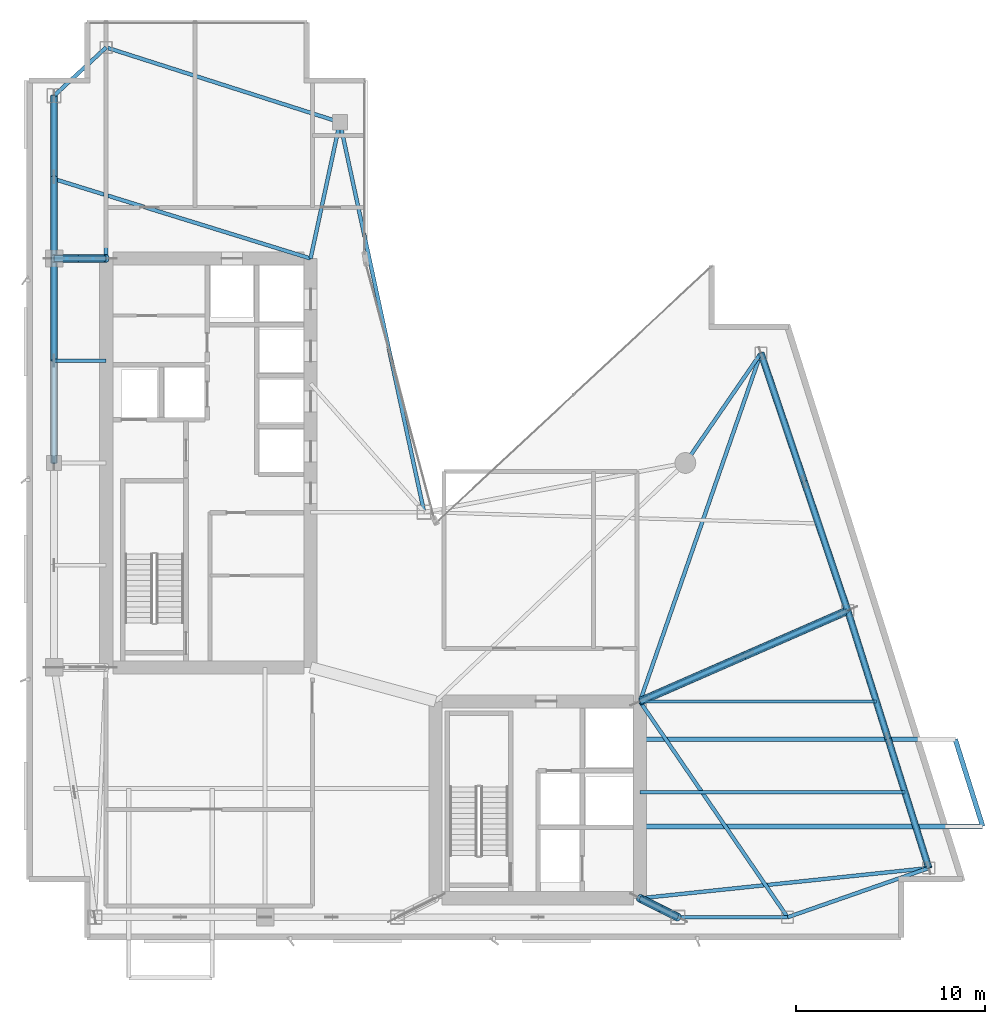
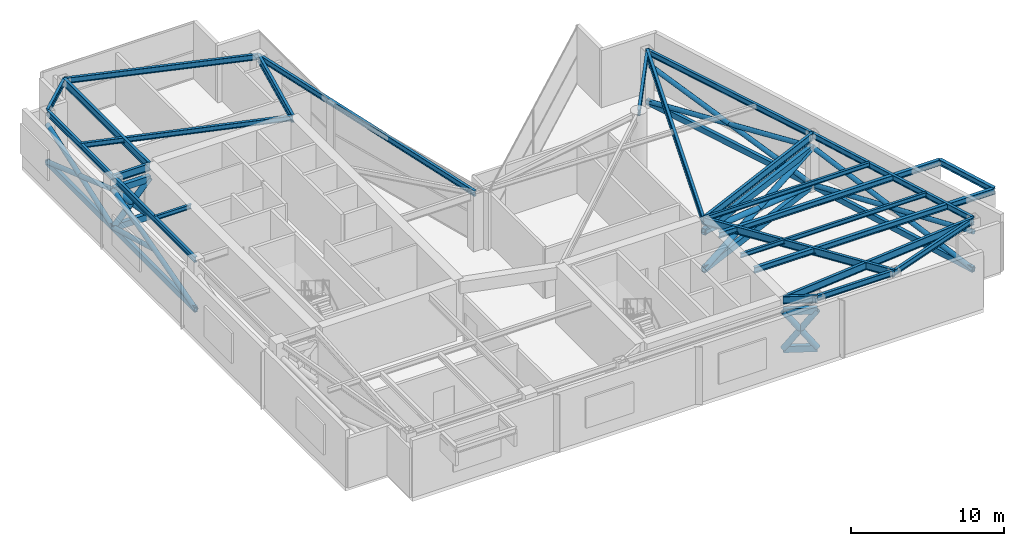
# One storey, part 5 of 16: 30 members, 25 beams.
"""IFC4 building model written with IfcOpenShell, lengths in metres."""

import ifcopenshell
import ifcopenshell.guid

model = None  # the IFC model being written
_history = None  # IfcOwnerHistory: only IFC2X3 demands one
_inside = {}  # id of a spatial element -> (the spatial element, [elements in it])
_under = {}  # id of a project, library or spatial element -> (it, [spatial elements below it])
_declared = {}  # id of a project -> (the project, [libraries it declares])
_typed = {}  # id of a type object -> (the type object, [elements of that type])
_made_of = {}  # id of a material, layer set ... -> (it, [elements and type objects made of it])


def new_model(schema):
    """Start an empty IFC model of exactly this schema.

    Asked for "IFC4X3", IfcOpenShell would pick the latest addendum, in which some entities
    have other attributes; the version numbers below select the first issue.
    IFC2X3 requires an IfcOwnerHistory on every rooted entity: one is made here for all.
    """
    global model, _history
    if schema == "IFC4X3":
        model = ifcopenshell.file(schema_version=(4, 3, 0, 0))
    else:
        model = ifcopenshell.file(schema=schema)
    _inside.clear()
    _under.clear()
    _declared.clear()
    _typed.clear()
    _made_of.clear()
    _history = None
    if model.schema == "IFC2X3":
        org = make("IfcOrganization", Name="unknown")
        user = make(
            "IfcPersonAndOrganization",
            ThePerson=make("IfcPerson", FamilyName="unknown"),
            TheOrganization=org,
        )
        app = make(
            "IfcApplication",
            ApplicationDeveloper=org,
            Version="unknown",
            ApplicationFullName="unknown",
            ApplicationIdentifier="unknown",
        )
        _history = make(
            "IfcOwnerHistory",
            OwningUser=user,
            OwningApplication=app,
            ChangeAction="ADDED",
            CreationDate=0,
        )
    return model


def make(cls, **values):
    """One entity of the class cls with the attributes given. An attribute that is None is left unset."""
    return model.create_entity(
        cls, **{name: value for name, value in values.items() if value is not None}
    )


def rooted(cls, **values):
    """An entity with a GlobalId (a new one), such as an element, a storey or a relation."""
    return make(cls, GlobalId=ifcopenshell.guid.new(), OwnerHistory=_history, **values)


def si_unit(unit_type, name, prefix=None):
    """IfcSIUnit, for example si_unit("LENGTHUNIT", "METRE", prefix="MILLI")."""
    return make("IfcSIUnit", UnitType=unit_type, Prefix=prefix, Name=name)


def assignment(units):
    """IfcUnitAssignment: the units of a project."""
    return None if units is None else make("IfcUnitAssignment", Units=units)


def point(xyz):
    """IfcCartesianPoint."""
    return None if xyz is None else make("IfcCartesianPoint", Coordinates=xyz)


def direction(xyz):
    """IfcDirection."""
    return None if xyz is None else make("IfcDirection", DirectionRatios=xyz)


def frame(location, z_axis=None, x_axis=None):
    """IfcAxis2Placement3D, a coordinate frame: its origin and axes. An axis left out is left unset."""
    return make(
        "IfcAxis2Placement3D",
        Location=point(location),
        Axis=direction(z_axis),
        RefDirection=direction(x_axis),
    )


def frame_2d(location, x_axis=None):
    """IfcAxis2Placement2D, a coordinate frame in the plane: its origin and x axis."""
    return make(
        "IfcAxis2Placement2D", Location=point(location), RefDirection=direction(x_axis)
    )


def origin():
    """The frame at (0, 0, 0) with its axes left unset."""
    return frame((0.0, 0.0, 0.0))


def origin_2d():
    """The frame at (0, 0) in the plane with its x axis left unset."""
    return frame_2d((0.0, 0.0))


def place(relative_to, where):
    """IfcLocalPlacement: puts the frame where relative to a parent placement (None: the world)."""
    return make(
        "IfcLocalPlacement", PlacementRelTo=relative_to, RelativePlacement=where
    )


def context(
    kind, dimensions, precision=None, world=None, true_north=None, identifier=None
):
    """IfcGeometricRepresentationContext, for example the 3D "Model" context."""
    return make(
        "IfcGeometricRepresentationContext",
        ContextIdentifier=identifier,
        ContextType=kind,
        CoordinateSpaceDimension=dimensions,
        Precision=precision,
        WorldCoordinateSystem=world,
        TrueNorth=true_north,
    )


def subcontext(parent, identifier, kind, view, scale=None):
    """IfcGeometricRepresentationSubContext, for example "Body" below "Model"."""
    return make(
        "IfcGeometricRepresentationSubContext",
        ContextIdentifier=identifier,
        ContextType=kind,
        ParentContext=parent,
        TargetScale=scale,
        TargetView=view,
    )


def project(units=None, contexts=None):
    """IfcProject with its units and contexts."""
    return rooted(
        "IfcProject",
        Name="project",
        RepresentationContexts=contexts,
        UnitsInContext=assignment(units),
    )


def spatial(cls, under=None, at=None, **own):
    """A site, building, storey or space (cls), placed at a placement, below another one or the project."""
    s = rooted(cls, ObjectPlacement=at, **own)
    if under is not None:
        _under.setdefault(under.id(), (under, []))[1].append(s)
    return s


def profile(cls, at=None, kind="AREA", **sizes):
    """A parametric profile (cls). Its sizes go by their IFC names, for example OverallWidth=200.0."""
    return make(cls, ProfileType=kind, Position=at, **sizes)


def hollow_rectangle(**sizes):
    """IfcRectangleHollowProfileDef."""
    return profile("IfcRectangleHollowProfileDef", **sizes)


def hollow_circle(**sizes):
    """IfcCircleHollowProfileDef."""
    return profile("IfcCircleHollowProfileDef", **sizes)


def i_section(**sizes):
    """IfcIShapeProfileDef."""
    return profile("IfcIShapeProfileDef", **sizes)


def extrude(swept, where, along, depth):
    """IfcExtrudedAreaSolid: the profile swept, set in the frame where, extruded along a direction by depth."""
    return make(
        "IfcExtrudedAreaSolid",
        SweptArea=swept,
        Position=where,
        ExtrudedDirection=direction(along),
        Depth=depth,
    )


def shape(context_of_items, identifier, shape_type, items):
    """IfcShapeRepresentation: the items that make up one representation, for example the "Body"."""
    return make(
        "IfcShapeRepresentation",
        ContextOfItems=context_of_items,
        RepresentationIdentifier=identifier,
        RepresentationType=shape_type,
        Items=items,
    )


def material(Name=None, Category=None):
    """IfcMaterial."""
    return make("IfcMaterial", Name=Name, Category=Category)


def material_profile(
    of_material, cross_section, Name=None, Category=None, Priority=None
):
    """IfcMaterialProfile: a cross section and its material."""
    return make(
        "IfcMaterialProfile",
        Name=Name,
        Material=of_material,
        Profile=cross_section,
        Priority=Priority,
        Category=Category,
    )


def profile_set(profiles, Name=None, composite=None):
    """IfcMaterialProfileSet."""
    return make(
        "IfcMaterialProfileSet",
        Name=Name,
        MaterialProfiles=profiles,
        CompositeProfile=composite,
    )


def made_of(thing, what):
    """Note that an element or type object is made of a material, layer set ...; save() writes the relation."""
    if what is not None:
        _made_of.setdefault(what.id(), (what, []))[1].append(thing)
    return thing


def type_object(cls, material=None, **own):
    """A type object (cls), such as IfcWallType, which elements share."""
    return made_of(rooted(cls, **own), material)


def element(
    cls,
    number,
    at=None,
    inside=None,
    cuts=None,
    type_object=None,
    material=None,
    context=None,
    identifier="Body",
    shape_type=None,
    held_by="IfcProductDefinitionShape",
    body=None,
    shapes=None,
    **own,
):
    """One element of the class cls, such as IfcWall. Its Tag is "e" and its number.

    at: its placement. inside: the storey or other place that contains it. cuts: it is an
    opening in that element (IfcRelVoidsElement). A single representation is given by context,
    identifier, shape_type and body (its items); several are given by shapes. held_by: the class
    of the entity that holds the representations. save() writes the other relations.
    """
    e = rooted(cls, Tag="e%d" % number, ObjectPlacement=at, **own)
    if body is not None:
        shapes = [shape(context, identifier, shape_type, body)]
    if shapes is not None:
        e.Representation = make(held_by, Representations=shapes)
    if inside is not None:
        _inside.setdefault(inside.id(), (inside, []))[1].append(e)
    if cuts is not None:
        rooted(
            "IfcRelVoidsElement", RelatingBuildingElement=cuts, RelatedOpeningElement=e
        )
    if type_object is not None:
        _typed.setdefault(type_object.id(), (type_object, []))[1].append(e)
    return made_of(e, material)


def aggregate(whole, parts):
    """IfcRelAggregates: a whole, such as a stair, and the parts it consists of."""
    return rooted("IfcRelAggregates", RelatingObject=whole, RelatedObjects=parts)


def save(model, path):
    """Write the relations noted so far, then the file.

    IfcRelAggregates (storeys below a building ...), IfcRelContainedInSpatialStructure (elements
    in a storey), IfcRelDefinesByType, IfcRelAssociatesMaterial and IfcRelDeclares: one each for
    every whole, place, type object, material and project.
    """
    for whole, parts in _under.values():
        aggregate(whole, parts)
    for where, things in _inside.values():
        rooted(
            "IfcRelContainedInSpatialStructure",
            RelatedElements=things,
            RelatingStructure=where,
        )
    for kind, things in _typed.values():
        rooted("IfcRelDefinesByType", RelatedObjects=things, RelatingType=kind)
    for what, things in _made_of.values():
        rooted("IfcRelAssociatesMaterial", RelatedObjects=things, RelatingMaterial=what)
    for by, libraries in _declared.values():
        rooted("IfcRelDeclares", RelatingContext=by, RelatedDefinitions=libraries)
    model.write(path)


model = new_model("IFC4")

# Units and contexts
model_context = context("Model", 3, precision=1e-05, world=origin(), true_north=direction((0.0, 1.0)))
body_context = subcontext(model_context, "Body", "Model", "MODEL_VIEW")
ifc_project = project(units=[si_unit("LENGTHUNIT", "METRE"), si_unit("AREAUNIT", "SQUARE_METRE"), si_unit("VOLUMEUNIT", "CUBIC_METRE"), si_unit("PLANEANGLEUNIT", "RADIAN"), si_unit("MASSUNIT", "GRAM", prefix="KILO")], contexts=[model_context])

# Site, building, storey
site_placement = place(None, origin())
site = spatial("IfcSite", under=ifc_project, at=site_placement, CompositionType="ELEMENT")
building_placement = place(site_placement, origin())
building = spatial("IfcBuilding", under=site, at=building_placement, Name="Calvorn Quay Hotel", CompositionType="ELEMENT")
storey_placement = place(building_placement, frame((0.0, 0.0, 234.5)))
storey = spatial("IfcBuildingStorey", under=building, at=storey_placement, Name="L58", CompositionType="ELEMENT", Elevation=234.5)

# Beams
ifc_material_1 = material(Name="Steel Q355B", Category="steel")
ifc_material_profile_1 = material_profile(ifc_material_1, i_section(OverallWidth=0.25, OverallDepth=0.449951171875, WebThickness=0.011962890625, FlangeThickness=0.01611328125, FilletRadius=0.01611328125, at=origin_2d()), Name="HN450x250x12x16")
ifc_profile_set_1 = profile_set([ifc_material_profile_1], Name="Steel Q355B")
beam_type_1 = type_object("IfcBeamType", Name="BM-CANT-BALC", PredefinedType="BEAM", material=ifc_profile_set_1)
beam_1_placement = place(storey_placement, frame((32.39990234375, 8.39990234375, 4.31494140625), z_axis=(1.0, 0.0, 0.0), x_axis=(0.0, 1.0, 0.0)))
element("IfcBeam", 1, at=beam_1_placement, inside=storey, type_object=beam_type_1, Name="Cantilever Balcony Beam BCB-L59-1A", PredefinedType="BEAM", context=body_context, shape_type="SweptSolid", body=[
    extrude(i_section(OverallWidth=0.25, OverallDepth=0.449951171875, WebThickness=0.011962890625, FlangeThickness=0.01611328125, FilletRadius=0.01611328125, at=origin_2d()), origin(), (0.0, 0.0, 1.0), 18.108154296875),
])
beam_2_placement = place(storey_placement, frame((32.39990234375, 13.0, 4.31494140625), z_axis=(1.0, 0.0, 0.0), x_axis=(0.0, 1.0, 0.0)))
element("IfcBeam", 2, at=beam_2_placement, inside=storey, type_object=beam_type_1, Name="Cantilever Balcony Beam BCB-L59-1B", PredefinedType="BEAM", context=body_context, shape_type="SweptSolid", body=[
    extrude(i_section(OverallWidth=0.25, OverallDepth=0.449951171875, WebThickness=0.011962890625, FlangeThickness=0.01611328125, FilletRadius=0.01611328125, at=origin_2d()), origin(), (0.0, 0.0, 1.0), 16.658203125),
])
beam_3_placement = place(storey_placement, frame((50.508056640625, 8.39990234375, 4.31494140625), z_axis=(-0.300620172346, 0.953743944662, 0.0), x_axis=(-0.953743944662, -0.300620172346, 0.0)))
element("IfcBeam", 3, at=beam_3_placement, inside=storey, type_object=beam_type_1, Name="Beam BCBO-L59-1", PredefinedType="BEAM", context=body_context, shape_type="SweptSolid", body=[
    extrude(i_section(OverallWidth=0.25, OverallDepth=0.449951171875, WebThickness=0.011962890625, FlangeThickness=0.01611328125, FilletRadius=0.01611328125, at=origin_2d()), origin(), (0.0, 0.0, 1.0), 4.8232421875),
])
ifc_material_2 = material(Name="Steel Q355B", Category="steel")
ifc_material_profile_2 = material_profile(ifc_material_2, i_section(OverallWidth=0.199951171875, OverallDepth=0.60009765625, WebThickness=0.010986328125, FlangeThickness=0.01708984375, FilletRadius=0.01806640625, at=origin_2d()), Name="HN600x200x11x17")
ifc_profile_set_2 = profile_set([ifc_material_profile_2], Name="Steel Q355B")
beam_type_2 = type_object("IfcBeamType", Name="BM-GIRD-TYP", PredefinedType="BEAM", material=ifc_profile_set_2)
beam_4_placement = place(storey_placement, frame((1.449951171875, 38.39990234375, 4.239990234375), z_axis=(1.0, 0.0, 0.0), x_axis=(0.0, 1.0, 0.0)))
element("IfcBeam", 4, at=beam_4_placement, inside=storey, type_object=beam_type_2, Name="Beam BG-L58-W3", PredefinedType="BEAM", context=body_context, shape_type="SweptSolid", body=[
    extrude(i_section(OverallWidth=0.199951171875, OverallDepth=0.60009765625, WebThickness=0.010986328125, FlangeThickness=0.01708984375, FilletRadius=0.01806640625, at=origin_2d()), origin(), (0.0, 0.0, 1.0), 2.75),
])
beam_5_placement = place(storey_placement, frame((4.199951171875, 49.550048828125, 4.239990234375), z_axis=(0.0, -1.0, 0.0), x_axis=(1.0, 0.0, 0.0)))
element("IfcBeam", 5, at=beam_5_placement, inside=storey, type_object=beam_type_2, Name="Beam BG-L58-W5", PredefinedType="BEAM", context=body_context, shape_type="SweptSolid", body=[
    extrude(i_section(OverallWidth=0.199951171875, OverallDepth=0.60009765625, WebThickness=0.010986328125, FlangeThickness=0.01708984375, FilletRadius=0.01806640625, at=origin_2d()), origin(), (0.0, 0.0, 1.0), 11.150146484375),
])
beam_6_placement = place(storey_placement, frame((16.550048828125, 45.60009765625, 4.239990234375), z_axis=(-0.210457140491, -0.97760308511, 0.0), x_axis=(0.97760308511, -0.210457140491, 0.0)))
element("IfcBeam", 6, at=beam_6_placement, inside=storey, type_object=beam_type_2, Name="Beam BG-L58-W6", PredefinedType="BEAM", context=body_context, shape_type="SweptSolid", body=[
    extrude(i_section(OverallWidth=0.199951171875, OverallDepth=0.60009765625, WebThickness=0.010986328125, FlangeThickness=0.01708984375, FilletRadius=0.01806640625, at=origin_2d()), origin(), (0.0, 0.0, 1.0), 7.365234375),
])
beam_7_placement = place(storey_placement, frame((34.39990234375, 3.60009765625, 4.239990234375), z_axis=(-0.894427191, 0.4472135955, 0.0), x_axis=(-0.4472135955, -0.894427191, 0.0)))
element("IfcBeam", 7, at=beam_7_placement, inside=storey, type_object=beam_type_2, Name="Beam BG-L58-S3", PredefinedType="BEAM", context=body_context, shape_type="SweptSolid", body=[
    extrude(i_section(OverallWidth=0.199951171875, OverallDepth=0.60009765625, WebThickness=0.010986328125, FlangeThickness=0.01708984375, FilletRadius=0.01806640625, at=origin_2d()), origin(), (0.0, 0.0, 1.0), 2.236083984375),
])
beam_8_placement = place(storey_placement, frame((32.39990234375, 4.60009765625, 4.239990234375), z_axis=(0.99454991229, 0.10426155554, 0.0), x_axis=(-0.10426155554, 0.99454991229, 0.0)))
element("IfcBeam", 8, at=beam_8_placement, inside=storey, type_object=beam_type_2, Name="Beam BG-L58-E1", PredefinedType="BEAM", context=body_context, shape_type="SweptSolid", body=[
    extrude(i_section(OverallWidth=0.199951171875, OverallDepth=0.60009765625, WebThickness=0.010986328125, FlangeThickness=0.01708984375, FilletRadius=0.01806640625, at=origin_2d()), origin(), (0.0, 0.0, 1.0), 15.3447265625),
])
beam_9_placement = place(storey_placement, frame((32.39990234375, 15.0, 4.239990234375), z_axis=(0.916218128543, 0.40067984842, 0.0), x_axis=(-0.40067984842, 0.916218128543, 0.0)))
element("IfcBeam", 9, at=beam_9_placement, inside=storey, type_object=beam_type_2, Name="Beam BG-L58-E2", PredefinedType="BEAM", context=body_context, shape_type="SweptSolid", body=[
    extrude(i_section(OverallWidth=0.199951171875, OverallDepth=0.60009765625, WebThickness=0.010986328125, FlangeThickness=0.01708984375, FilletRadius=0.01806640625, at=origin_2d()), origin(), (0.0, 0.0, 1.0), 11.979736328125),
])
beam_10_placement = place(storey_placement, frame((32.39990234375, 15.0, 4.239990234375), z_axis=(0.328115152411, 0.94463773308, 0.0), x_axis=(-0.94463773308, 0.328115152411, 0.0)))
element("IfcBeam", 10, at=beam_10_placement, inside=storey, type_object=beam_type_2, Name="Beam BG-L58-E3", PredefinedType="BEAM", context=body_context, shape_type="SweptSolid", body=[
    extrude(i_section(OverallWidth=0.199951171875, OverallDepth=0.60009765625, WebThickness=0.010986328125, FlangeThickness=0.01708984375, FilletRadius=0.01806640625, at=origin_2d()), origin(), (0.0, 0.0, 1.0), 19.478271484375),
])
beam_11_placement = place(storey_placement, frame((40.199951171875, 3.60009765625, 4.239990234375), z_axis=(-0.564689618177, 0.825303359452, 0.0), x_axis=(-0.825303359452, -0.564689618177, 0.0)))
element("IfcBeam", 11, at=beam_11_placement, inside=storey, type_object=beam_type_2, Name="Beam BG-L58-E6", PredefinedType="BEAM", context=body_context, shape_type="SweptSolid", body=[
    extrude(i_section(OverallWidth=0.199951171875, OverallDepth=0.60009765625, WebThickness=0.010986328125, FlangeThickness=0.01708984375, FilletRadius=0.01806640625, at=origin_2d()), origin(), (0.0, 0.0, 1.0), 13.81298828125),
])
ifc_material_3 = material(Name="Steel Q355B", Category="steel")
ifc_material_profile_3 = material_profile(ifc_material_3, i_section(OverallWidth=0.175048828125, OverallDepth=0.35009765625, WebThickness=0.007080078125, FlangeThickness=0.010986328125, FilletRadius=0.013916015625, at=origin_2d()), Name="HN350x175x7x11")
ifc_profile_set_3 = profile_set([ifc_material_profile_3], Name="Steel Q355B")
beam_type_3 = type_object("IfcBeamType", Name="BM-JOIST-SEC", PredefinedType="JOIST", material=ifc_profile_set_3)
beam_12_placement = place(storey_placement, frame((1.449951171875, 33.0, 4.364990234375), z_axis=(1.0, 0.0, 0.0), x_axis=(0.0, 1.0, 0.0)))
element("IfcBeam", 12, at=beam_12_placement, inside=storey, type_object=beam_type_3, Name="Beam BJ-L58-W4", PredefinedType="JOIST", context=body_context, shape_type="SweptSolid", body=[
    extrude(i_section(OverallWidth=0.175048828125, OverallDepth=0.35009765625, WebThickness=0.007080078125, FlangeThickness=0.010986328125, FilletRadius=0.013916015625, at=origin_2d()), origin(), (0.0, 0.0, 1.0), 2.75),
])
beam_13_placement = place(storey_placement, frame((32.39990234375, 10.199951171875, 4.364990234375), z_axis=(1.0, 0.0, 0.0), x_axis=(0.0, 1.0, 0.0)))
element("IfcBeam", 13, at=beam_13_placement, inside=storey, type_object=beam_type_3, Name="Beam BJ-L58-E1", PredefinedType="JOIST", context=body_context, shape_type="SweptSolid", body=[
    extrude(i_section(OverallWidth=0.175048828125, OverallDepth=0.35009765625, WebThickness=0.007080078125, FlangeThickness=0.010986328125, FilletRadius=0.013916015625, at=origin_2d()), origin(), (0.0, 0.0, 1.0), 14.0009765625),
])
beam_14_placement = place(storey_placement, frame((32.39990234375, 15.0, 4.364990234375), z_axis=(1.0, 0.0, 0.0), x_axis=(0.0, 1.0, 0.0)))
element("IfcBeam", 14, at=beam_14_placement, inside=storey, type_object=beam_type_3, Name="Beam BJ-L58-E2", PredefinedType="JOIST", context=body_context, shape_type="SweptSolid", body=[
    extrude(i_section(OverallWidth=0.175048828125, OverallDepth=0.35009765625, WebThickness=0.007080078125, FlangeThickness=0.010986328125, FilletRadius=0.013916015625, at=origin_2d()), origin(), (0.0, 0.0, 1.0), 12.488037109375),
])
ifc_material_4 = material(Name="Steel Q355B", Category="steel")
ifc_material_profile_4 = material_profile(ifc_material_4, i_section(OverallWidth=0.199951171875, OverallDepth=0.39990234375, WebThickness=0.008056640625, FlangeThickness=0.012939453125, FilletRadius=0.01611328125, at=origin_2d()), Name="HN400x200x8x13")
ifc_profile_set_4 = profile_set([ifc_material_profile_4], Name="Steel Q355B")
beam_type_4 = type_object("IfcBeamType", Name="BM-JOIST-TYP", PredefinedType="JOIST", material=ifc_profile_set_4)
beam_15_placement = place(storey_placement, frame((1.449951171875, 42.60009765625, 4.340087890625), z_axis=(0.955163702122, -0.296078202759, 0.0), x_axis=(0.296078202759, 0.955163702122, 0.0)))
element("IfcBeam", 15, at=beam_15_placement, inside=storey, type_object=beam_type_4, Name="Beam BJ-L58-W2", PredefinedType="JOIST", context=body_context, shape_type="SweptSolid", body=[
    extrude(i_section(OverallWidth=0.199951171875, OverallDepth=0.39990234375, WebThickness=0.008056640625, FlangeThickness=0.012939453125, FilletRadius=0.01611328125, at=origin_2d()), origin(), (0.0, 0.0, 1.0), 14.18603515625),
])
ifc_material_5 = material(Name="Steel Q355B", Category="steel")
ifc_material_profile_5 = material_profile(ifc_material_5, i_section(OverallWidth=0.199951171875, OverallDepth=0.449951171875, WebThickness=0.009033203125, FlangeThickness=0.013916015625, FilletRadius=0.01611328125, at=origin_2d()), Name="HN450x200x9x14")
ifc_profile_set_5 = profile_set([ifc_material_profile_5], Name="Steel Q355B")
beam_type_5 = type_object("IfcBeamType", Name="BM-SPANDREL-Z3", PredefinedType="SPANDREL", material=ifc_profile_set_5)
beam_16_placement = place(storey_placement, frame((1.449951171875, 27.60009765625, 4.31494140625), z_axis=(0.0, 1.0, 0.0), x_axis=(-1.0, 0.0, 0.0)))
element("IfcBeam", 16, at=beam_16_placement, inside=storey, type_object=beam_type_5, Name="Beam BSP-L58-W3", PredefinedType="SPANDREL", context=body_context, shape_type="SweptSolid", body=[
    extrude(i_section(OverallWidth=0.199951171875, OverallDepth=0.449951171875, WebThickness=0.009033203125, FlangeThickness=0.013916015625, FilletRadius=0.01611328125, at=origin_2d()), origin(), (0.0, 0.0, 1.0), 10.7998046875),
])
beam_17_placement = place(storey_placement, frame((1.449951171875, 38.39990234375, 4.31494140625), z_axis=(0.0, 1.0, 0.0), x_axis=(-1.0, 0.0, 0.0)))
element("IfcBeam", 17, at=beam_17_placement, inside=storey, type_object=beam_type_5, Name="Beam BSP-L58-W4", PredefinedType="SPANDREL", context=body_context, shape_type="SweptSolid", body=[
    extrude(i_section(OverallWidth=0.199951171875, OverallDepth=0.449951171875, WebThickness=0.009033203125, FlangeThickness=0.013916015625, FilletRadius=0.01611328125, at=origin_2d()), origin(), (0.0, 0.0, 1.0), 8.60009765625),
])
beam_18_placement = place(storey_placement, frame((1.449951171875, 47.0, 4.31494140625), z_axis=(0.733261665538, 0.679946563969, 0.0), x_axis=(-0.679946563969, 0.733261665538, 0.0)))
element("IfcBeam", 18, at=beam_18_placement, inside=storey, type_object=beam_type_5, Name="Beam BSP-L58-W5", PredefinedType="SPANDREL", context=body_context, shape_type="SweptSolid", body=[
    extrude(i_section(OverallWidth=0.199951171875, OverallDepth=0.449951171875, WebThickness=0.009033203125, FlangeThickness=0.013916015625, FilletRadius=0.01611328125, at=origin_2d()), origin(), (0.0, 0.0, 1.0), 3.75048828125),
])
beam_19_placement = place(storey_placement, frame((4.199951171875, 49.550048828125, 4.31494140625), z_axis=(0.952470702374, -0.304630203885, 0.0), x_axis=(0.304630203885, 0.952470702374, 0.0)))
element("IfcBeam", 19, at=beam_19_placement, inside=storey, type_object=beam_type_5, Name="Beam BSP-L58-W6", PredefinedType="SPANDREL", context=body_context, shape_type="SweptSolid", body=[
    extrude(i_section(OverallWidth=0.199951171875, OverallDepth=0.449951171875, WebThickness=0.009033203125, FlangeThickness=0.013916015625, FilletRadius=0.01611328125, at=origin_2d()), origin(), (0.0, 0.0, 1.0), 12.96630859375),
])
beam_20_placement = place(storey_placement, frame((16.550048828125, 45.60009765625, 4.31494140625), z_axis=(0.211145848376, -0.977454567084, 0.0), x_axis=(0.977454567084, 0.211145848376, 0.0)))
element("IfcBeam", 20, at=beam_20_placement, inside=storey, type_object=beam_type_5, Name="Beam BSP-L58-W7", PredefinedType="SPANDREL", context=body_context, shape_type="SweptSolid", body=[
    extrude(i_section(OverallWidth=0.199951171875, OverallDepth=0.449951171875, WebThickness=0.009033203125, FlangeThickness=0.013916015625, FilletRadius=0.01611328125, at=origin_2d()), origin(), (0.0, 0.0, 1.0), 21.0751953125),
])
beam_21_placement = place(storey_placement, frame((34.39990234375, 3.60009765625, 4.31494140625), z_axis=(1.0, 0.0, 0.0), x_axis=(0.0, 1.0, 0.0)))
element("IfcBeam", 21, at=beam_21_placement, inside=storey, type_object=beam_type_5, Name="Beam BSP-L58-S4", PredefinedType="SPANDREL", context=body_context, shape_type="SweptSolid", body=[
    extrude(i_section(OverallWidth=0.199951171875, OverallDepth=0.449951171875, WebThickness=0.009033203125, FlangeThickness=0.013916015625, FilletRadius=0.01611328125, at=origin_2d()), origin(), (0.0, 0.0, 1.0), 5.800048828125),
])
beam_22_placement = place(storey_placement, frame((40.199951171875, 3.60009765625, 4.31494140625), z_axis=(0.944310305586, 0.329056297257, 0.0), x_axis=(-0.329056297257, 0.944310305586, 0.0)))
element("IfcBeam", 22, at=beam_22_placement, inside=storey, type_object=beam_type_5, Name="Beam BSP-L58-S5", PredefinedType="SPANDREL", context=body_context, shape_type="SweptSolid", body=[
    extrude(i_section(OverallWidth=0.199951171875, OverallDepth=0.449951171875, WebThickness=0.009033203125, FlangeThickness=0.013916015625, FilletRadius=0.01611328125, at=origin_2d()), origin(), (0.0, 0.0, 1.0), 7.90087890625),
])
beam_23_placement = place(storey_placement, frame((47.660888671875, 6.199951171875, 4.31494140625), z_axis=(-0.300502802767, 0.953780931624, 0.0), x_axis=(-0.953780931624, -0.300502802767, 0.0)))
element("IfcBeam", 23, at=beam_23_placement, inside=storey, type_object=beam_type_5, Name="Beam BSP-L58-E1", PredefinedType="SPANDREL", context=body_context, shape_type="SweptSolid", body=[
    extrude(i_section(OverallWidth=0.199951171875, OverallDepth=0.449951171875, WebThickness=0.009033203125, FlangeThickness=0.013916015625, FilletRadius=0.01611328125, at=origin_2d()), origin(), (0.0, 0.0, 1.0), 14.259033203125),
])
beam_24_placement = place(storey_placement, frame((43.3759765625, 19.800048828125, 4.31494140625), z_axis=(-0.319466515944, 0.947597564998, 0.0), x_axis=(-0.947597564998, -0.319466515944, 0.0)))
element("IfcBeam", 24, at=beam_24_placement, inside=storey, type_object=beam_type_5, Name="Beam BSP-L58-E2", PredefinedType="SPANDREL", context=body_context, shape_type="SweptSolid", body=[
    extrude(i_section(OverallWidth=0.199951171875, OverallDepth=0.449951171875, WebThickness=0.009033203125, FlangeThickness=0.013916015625, FilletRadius=0.01611328125, at=origin_2d()), origin(), (0.0, 0.0, 1.0), 14.35205078125),
])
beam_25_placement = place(storey_placement, frame((38.791015625, 33.39990234375, 4.31494140625), z_axis=(-0.566876101303, -0.823803062492, 0.0), x_axis=(0.823803062492, -0.566876101303, 0.0)))
element("IfcBeam", 25, at=beam_25_placement, inside=storey, type_object=beam_type_5, Name="Beam BSP-L58-E3", PredefinedType="SPANDREL", context=body_context, shape_type="SweptSolid", body=[
    extrude(i_section(OverallWidth=0.199951171875, OverallDepth=0.449951171875, WebThickness=0.009033203125, FlangeThickness=0.013916015625, FilletRadius=0.01611328125, at=origin_2d()), origin(), (0.0, 0.0, 1.0), 7.040283203125),
])

# Members
ifc_material_6 = material(Name="Steel Q390GJC", Category="steel")
ifc_material_profile_6 = material_profile(ifc_material_6, hollow_rectangle(XDim=0.25, YDim=0.449951171875, WallThickness=0.01611328125, at=origin_2d()), Name="RHS450x250x16")
ifc_profile_set_6 = profile_set([ifc_material_profile_6], Name="Steel Q390GJC")
member_type_1 = type_object("IfcMemberType", Name="MEM-BELT-CHORD", PredefinedType="CHORD", material=ifc_profile_set_6)
member_1_placement = place(storey_placement, frame((1.449951171875, 27.60009765625, 0.35009765625), z_axis=(0.0, 1.0, 0.0), x_axis=(-1.0, 0.0, 0.0)))
element("IfcMember", 26, at=member_1_placement, inside=storey, type_object=member_type_1, Name="Belt Truss Chord L58-BW3", PredefinedType="CHORD", context=body_context, shape_type="SweptSolid", body=[
    extrude(hollow_rectangle(XDim=0.25, YDim=0.449951171875, WallThickness=0.01611328125, at=origin_2d()), origin(), (0.0, 0.0, 1.0), 10.7998046875),
])
member_2_placement = place(storey_placement, frame((1.449951171875, 38.39990234375, 0.35009765625), z_axis=(0.0, 1.0, 0.0), x_axis=(-1.0, 0.0, 0.0)))
element("IfcMember", 27, at=member_2_placement, inside=storey, type_object=member_type_1, Name="Belt Truss Chord L58-BW4", PredefinedType="CHORD", context=body_context, shape_type="SweptSolid", body=[
    extrude(hollow_rectangle(XDim=0.25, YDim=0.449951171875, WallThickness=0.01611328125, at=origin_2d()), origin(), (0.0, 0.0, 1.0), 8.60009765625),
])
member_3_placement = place(storey_placement, frame((47.660888671875, 6.199951171875, 0.35009765625), z_axis=(-0.300502802767, 0.953780931624, 0.0), x_axis=(-0.953780931624, -0.300502802767, 0.0)))
element("IfcMember", 28, at=member_3_placement, inside=storey, type_object=member_type_1, Name="Belt Truss Chord L58-BE1", PredefinedType="CHORD", context=body_context, shape_type="SweptSolid", body=[
    extrude(hollow_rectangle(XDim=0.25, YDim=0.449951171875, WallThickness=0.01611328125, at=origin_2d()), origin(), (0.0, 0.0, 1.0), 14.259033203125),
])
member_4_placement = place(storey_placement, frame((43.3759765625, 19.800048828125, 0.35009765625), z_axis=(-0.319466515944, 0.947597564998, 0.0), x_axis=(-0.947597564998, -0.319466515944, 0.0)))
element("IfcMember", 29, at=member_4_placement, inside=storey, type_object=member_type_1, Name="Belt Truss Chord L58-BE2", PredefinedType="CHORD", context=body_context, shape_type="SweptSolid", body=[
    extrude(hollow_rectangle(XDim=0.25, YDim=0.449951171875, WallThickness=0.01611328125, at=origin_2d()), origin(), (0.0, 0.0, 1.0), 14.35205078125),
])
ifc_material_7 = material(Name="Steel Q390GJC", Category="steel")
ifc_material_profile_7 = material_profile(ifc_material_7, hollow_circle(Radius=0.177978515625, WallThickness=0.013916015625, at=origin_2d()), Name="CHS356x14")
ifc_profile_set_7 = profile_set([ifc_material_profile_7], Name="Steel Q390GJC")
member_type_2 = type_object("IfcMemberType", Name="MEM-BELT-DIAG", PredefinedType="BRACE", material=ifc_profile_set_7)
member_5_placement = place(storey_placement, frame((1.449951171875, 27.60009765625, 0.35009765625), z_axis=(0.0, 0.963746657996, 0.266819000825), x_axis=(-1.0, 0.0, 0.0)))
element("IfcMember", 30, at=member_5_placement, inside=storey, type_object=member_type_2, Name="Belt Truss Continuous Brace L58-BW3A", PredefinedType="BRACE", context=body_context, shape_type="SweptSolid", body=[
    extrude(hollow_circle(Radius=0.177978515625, WallThickness=0.013916015625, at=origin_2d()), origin(), (0.0, 0.0, 1.0), 11.2060546875),
])
member_6_placement = place(storey_placement, frame((1.449951171875, 33.0, 1.844970703125), z_axis=(0.0, 0.96375226012, -0.266798765201), x_axis=(-1.0, 0.0, 0.0)))
element("IfcMember", 31, at=member_6_placement, inside=storey, type_object=member_type_2, Name="Belt Truss Split Brace B2 L58-BW3", PredefinedType="BRACE", context=body_context, shape_type="SweptSolid", body=[
    extrude(hollow_circle(Radius=0.177978515625, WallThickness=0.013916015625, at=origin_2d()), origin(), (0.0, 0.0, 1.0), 5.60302734375),
])
member_7_placement = place(storey_placement, frame((1.449951171875, 38.39990234375, 0.35009765625), z_axis=(0.0, 0.944542728138, 0.328388542313), x_axis=(-1.0, 0.0, 0.0)))
element("IfcMember", 32, at=member_7_placement, inside=storey, type_object=member_type_2, Name="Belt Truss Continuous Brace L58-BW4A", PredefinedType="BRACE", context=body_context, shape_type="SweptSolid", body=[
    extrude(hollow_circle(Radius=0.177978515625, WallThickness=0.013916015625, at=origin_2d()), origin(), (0.0, 0.0, 1.0), 9.10498046875),
])
for number, where, z_axis, x_axis, name in (
    (33, (1.449951171875, 38.39990234375, 3.340087890625), (0.0, 0.944534410885, -0.328412464217), (-1.0, 0.0, 0.0), "Belt Truss Split Brace B1 L58-BW4"),
    (34, (1.449951171875, 42.699951171875, 1.844970703125), (0.0, 0.944551044931, -0.328364619776), (-1.0, 0.0, 0.0), "Belt Truss Split Brace B2 L58-BW4"),
):
    element("IfcMember", number, at=place(storey_placement, frame(where, z_axis=z_axis, x_axis=x_axis)), inside=storey, type_object=member_type_2, Name=name, PredefinedType="BRACE", context=body_context, shape_type="SweptSolid", body=[
        extrude(hollow_circle(Radius=0.177978515625, WallThickness=0.013916015625, at=origin_2d()), origin(), (0.0, 0.0, 1.0), 4.552490234375),
    ])
member_8_placement = place(storey_placement, frame((47.660888671875, 6.199951171875, 0.35009765625), z_axis=(-0.294106481593, 0.93347932674, 0.205226031569), x_axis=(-0.953780931624, -0.300502802767, 0.0)))
element("IfcMember", 35, at=member_8_placement, inside=storey, type_object=member_type_2, Name="Belt Truss Continuous Brace L58-BE1A", PredefinedType="BRACE", context=body_context, shape_type="SweptSolid", body=[
    extrude(hollow_circle(Radius=0.177978515625, WallThickness=0.013916015625, at=origin_2d()), origin(), (0.0, 0.0, 1.0), 14.5693359375),
])
member_9_placement = place(storey_placement, frame((47.660888671875, 6.199951171875, 3.340087890625), z_axis=(-0.294028928651, 0.933499116575, -0.205247139981), x_axis=(-0.953805465644, -0.300424921915, 0.0)))
element("IfcMember", 36, at=member_9_placement, inside=storey, type_object=member_type_2, Name="Belt Truss Split Brace B1 L58-BE1", PredefinedType="BRACE", context=body_context, shape_type="SweptSolid", body=[
    extrude(hollow_circle(Radius=0.177978515625, WallThickness=0.013916015625, at=origin_2d()), origin(), (0.0, 0.0, 1.0), 7.284423828125),
])
member_10_placement = place(storey_placement, frame((45.51904296875, 13.0, 1.844970703125), z_axis=(-0.294184029232, 0.933459531349, -0.205204922646), x_axis=(-0.953756392507, -0.300580677608, 0.0)))
element("IfcMember", 37, at=member_10_placement, inside=storey, type_object=member_type_2, Name="Belt Truss Split Brace B2 L58-BE1", PredefinedType="BRACE", context=body_context, shape_type="SweptSolid", body=[
    extrude(hollow_circle(Radius=0.177978515625, WallThickness=0.013916015625, at=origin_2d()), origin(), (0.0, 0.0, 1.0), 7.28466796875),
])
member_11_placement = place(storey_placement, frame((43.3759765625, 19.800048828125, 0.35009765625), z_axis=(-0.312751442521, 0.927679398596, 0.203954574896), x_axis=(-0.947597564998, -0.319466515944, 0.0)))
element("IfcMember", 38, at=member_11_placement, inside=storey, type_object=member_type_2, Name="Belt Truss Continuous Brace L58-BE2A", PredefinedType="BRACE", context=body_context, shape_type="SweptSolid", body=[
    extrude(hollow_circle(Radius=0.177978515625, WallThickness=0.013916015625, at=origin_2d()), origin(), (0.0, 0.0, 1.0), 14.66015625),
])
for number, where, z_axis, x_axis, name in (
    (39, (43.3759765625, 19.800048828125, 3.340087890625), (-0.312685449618, 0.927697893931, -0.203971633305), (-0.947619897594, -0.319400265631, 0.0), "Belt Truss Split Brace B1 L58-BE2"),
    (40, (41.083984375, 26.60009765625, 1.844970703125), (-0.312817433601, 0.927660898708, -0.203937515539), (-0.947575228022, -0.319532763952, 0.0), "Belt Truss Split Brace B2 L58-BE2"),
):
    element("IfcMember", number, at=place(storey_placement, frame(where, z_axis=z_axis, x_axis=x_axis)), inside=storey, type_object=member_type_2, Name=name, PredefinedType="BRACE", context=body_context, shape_type="SweptSolid", body=[
        extrude(hollow_circle(Radius=0.177978515625, WallThickness=0.013916015625, at=origin_2d()), origin(), (0.0, 0.0, 1.0), 7.330078125),
    ])
ifc_material_8 = material(Name="Steel Q390GJC", Category="steel")
ifc_material_profile_8 = material_profile(ifc_material_8, hollow_rectangle(XDim=0.300048828125, YDim=0.5, WallThickness=0.02001953125, at=origin_2d()), Name="RHS500x300x20")
ifc_profile_set_8 = profile_set([ifc_material_profile_8], Name="Steel Q390GJC")
member_type_3 = type_object("IfcMemberType", Name="MEM-OUTRIGGER-CHORD", PredefinedType="CHORD", material=ifc_profile_set_8)
for number, where, z_axis, x_axis, name in (
    (41, (4.199951171875, 38.39990234375, 3.340087890625), (-1.0, 0.0, 0.0), (0.0, -1.0, 0.0), "Outrigger Top Chord L58-OW2"),
    (42, (4.199951171875, 38.39990234375, 0.35009765625), (-1.0, 0.0, 0.0), (0.0, -1.0, 0.0), "Outrigger Bottom Chord L58-OW2"),
):
    element("IfcMember", number, at=place(storey_placement, frame(where, z_axis=z_axis, x_axis=x_axis)), inside=storey, type_object=member_type_3, Name=name, PredefinedType="CHORD", context=body_context, shape_type="SweptSolid", body=[
        extrude(hollow_rectangle(XDim=0.300048828125, YDim=0.5, WallThickness=0.02001953125, at=origin_2d()), origin(), (0.0, 0.0, 1.0), 2.75),
    ])
for number, where, z_axis, x_axis, name in (
    (43, (32.39990234375, 4.60009765625, 3.340087890625), (0.894427191, -0.4472135955, 0.0), (0.4472135955, 0.894427191, 0.0), "Outrigger Top Chord L58-OE2"),
    (44, (32.39990234375, 4.60009765625, 0.35009765625), (0.894427191, -0.4472135955, 0.0), (0.4472135955, 0.894427191, 0.0), "Outrigger Bottom Chord L58-OE2"),
):
    element("IfcMember", number, at=place(storey_placement, frame(where, z_axis=z_axis, x_axis=x_axis)), inside=storey, type_object=member_type_3, Name=name, PredefinedType="CHORD", context=body_context, shape_type="SweptSolid", body=[
        extrude(hollow_rectangle(XDim=0.300048828125, YDim=0.5, WallThickness=0.02001953125, at=origin_2d()), origin(), (0.0, 0.0, 1.0), 2.236083984375),
    ])
for number, where, z_axis, x_axis, name in (
    (45, (32.39990234375, 15.0, 3.340087890625), (0.916218128543, 0.40067984842, 0.0), (-0.40067984842, 0.916218128543, 0.0), "Outrigger Top Chord L58-OE3"),
    (46, (32.39990234375, 15.0, 0.35009765625), (0.916218128543, 0.40067984842, 0.0), (-0.40067984842, 0.916218128543, 0.0), "Outrigger Bottom Chord L58-OE3"),
):
    element("IfcMember", number, at=place(storey_placement, frame(where, z_axis=z_axis, x_axis=x_axis)), inside=storey, type_object=member_type_3, Name=name, PredefinedType="CHORD", context=body_context, shape_type="SweptSolid", body=[
        extrude(hollow_rectangle(XDim=0.300048828125, YDim=0.5, WallThickness=0.02001953125, at=origin_2d()), origin(), (0.0, 0.0, 1.0), 11.979736328125),
    ])
ifc_material_9 = material(Name="Steel Q390GJC", Category="steel")
ifc_material_profile_9 = material_profile(ifc_material_9, hollow_circle(Radius=0.212890625, WallThickness=0.01611328125, at=origin_2d()), Name="CHS426x16")
ifc_profile_set_9 = profile_set([ifc_material_profile_9], Name="Steel Q390GJC")
member_type_4 = type_object("IfcMemberType", Name="MEM-OUTRIGGER-DIAG2", PredefinedType="BRACE", material=ifc_profile_set_9)
member_12_placement = place(storey_placement, frame((4.199951171875, 38.39990234375, 0.35009765625), z_axis=(-0.67695106482, 0.0, 0.736028026531), x_axis=(0.0, -1.0, 0.0)))
element("IfcMember", 47, at=member_12_placement, inside=storey, type_object=member_type_4, Name="Outrigger Continuous Diagonal L58-OW2", PredefinedType="BRACE", context=body_context, shape_type="SweptSolid", body=[
    extrude(hollow_circle(Radius=0.212890625, WallThickness=0.01611328125, at=origin_2d()), origin(), (0.0, 0.0, 1.0), 4.062255859375),
])
member_13_placement = place(storey_placement, frame((4.199951171875, 38.39990234375, 3.340087890625), z_axis=(-0.67692112114, 0.0, -0.736055565671), x_axis=(0.0, -1.0, 0.0)))
element("IfcMember", 48, at=member_13_placement, inside=storey, type_object=member_type_4, Name="Outrigger Split Diagonal A L58-OW2", PredefinedType="BRACE", context=body_context, shape_type="SweptSolid", body=[
    extrude(hollow_circle(Radius=0.212890625, WallThickness=0.01611328125, at=origin_2d()), origin(), (0.0, 0.0, 1.0), 2.03125),
])
member_14_placement = place(storey_placement, frame((2.824951171875, 38.39990234375, 1.844970703125), z_axis=(-0.676981010029, 0.0, -0.736000483737), x_axis=(0.0, -1.0, 0.0)))
element("IfcMember", 49, at=member_14_placement, inside=storey, type_object=member_type_4, Name="Outrigger Split Diagonal B L58-OW2", PredefinedType="BRACE", context=body_context, shape_type="SweptSolid", body=[
    extrude(hollow_circle(Radius=0.212890625, WallThickness=0.01611328125, at=origin_2d()), origin(), (0.0, 0.0, 1.0), 2.031005859375),
])
member_15_placement = place(storey_placement, frame((32.39990234375, 4.60009765625, 0.35009765625), z_axis=(0.535670784695, -0.267835392348, 0.800825207539), x_axis=(0.4472135955, 0.894427191, 0.0)))
element("IfcMember", 50, at=member_15_placement, inside=storey, type_object=member_type_4, Name="Outrigger Continuous Diagonal L58-OE2", PredefinedType="BRACE", context=body_context, shape_type="SweptSolid", body=[
    extrude(hollow_circle(Radius=0.212890625, WallThickness=0.01611328125, at=origin_2d()), origin(), (0.0, 0.0, 1.0), 3.733642578125),
])
member_16_placement = place(storey_placement, frame((32.39990234375, 4.60009765625, 3.340087890625), z_axis=(0.535642735053, -0.267821367526, -0.800848659537), x_axis=(0.4472135955, 0.894427191, 0.0)))
element("IfcMember", 51, at=member_16_placement, inside=storey, type_object=member_type_4, Name="Outrigger Split Diagonal A L58-OE2", PredefinedType="BRACE", context=body_context, shape_type="SweptSolid", body=[
    extrude(hollow_circle(Radius=0.212890625, WallThickness=0.01611328125, at=origin_2d()), origin(), (0.0, 0.0, 1.0), 1.866943359375),
])
member_17_placement = place(storey_placement, frame((33.39990234375, 4.10009765625, 1.844970703125), z_axis=(0.535698836454, -0.267849418227, -0.800801751857), x_axis=(0.4472135955, 0.894427191, 0.0)))
element("IfcMember", 52, at=member_17_placement, inside=storey, type_object=member_type_4, Name="Outrigger Split Diagonal B L58-OE2", PredefinedType="BRACE", context=body_context, shape_type="SweptSolid", body=[
    extrude(hollow_circle(Radius=0.212890625, WallThickness=0.01611328125, at=origin_2d()), origin(), (0.0, 0.0, 1.0), 1.86669921875),
])
member_18_placement = place(storey_placement, frame((32.39990234375, 15.0, 0.35009765625), z_axis=(0.88894850508, 0.388754316437, 0.242158288663), x_axis=(-0.40067984842, 0.916218128543, 0.0)))
element("IfcMember", 53, at=member_18_placement, inside=storey, type_object=member_type_4, Name="Outrigger Continuous Diagonal L58-OE3", PredefinedType="BRACE", context=body_context, shape_type="SweptSolid", body=[
    extrude(hollow_circle(Radius=0.212890625, WallThickness=0.01611328125, at=origin_2d()), origin(), (0.0, 0.0, 1.0), 12.34716796875),
])
for number, where, z_axis, x_axis, name in (
    (54, (32.39990234375, 15.0, 3.340087890625), (0.88895108147, 0.388735670219, -0.24217876342), (-0.400662740588, 0.916225609937, 0.0), "Outrigger Split Diagonal A L58-OE3"),
    (55, (37.887939453125, 17.39990234375, 1.844970703125), (0.888945928016, 0.388772962246, -0.242137813837), (-0.400696955833, 0.916210646951, 0.0), "Outrigger Split Diagonal B L58-OE3"),
):
    element("IfcMember", number, at=place(storey_placement, frame(where, z_axis=z_axis, x_axis=x_axis)), inside=storey, type_object=member_type_4, Name=name, PredefinedType="BRACE", context=body_context, shape_type="SweptSolid", body=[
        extrude(hollow_circle(Radius=0.212890625, WallThickness=0.01611328125, at=origin_2d()), origin(), (0.0, 0.0, 1.0), 6.173583984375),
    ])

save(model, "model.ifc")
